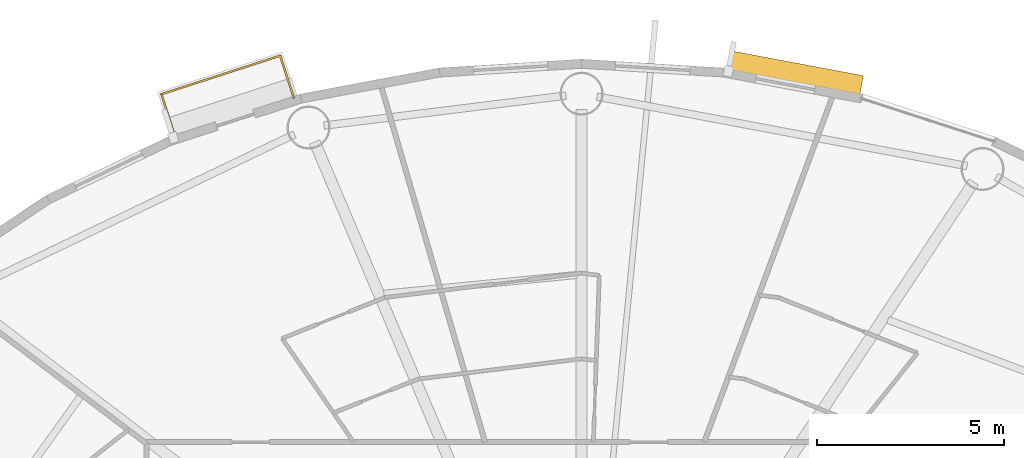
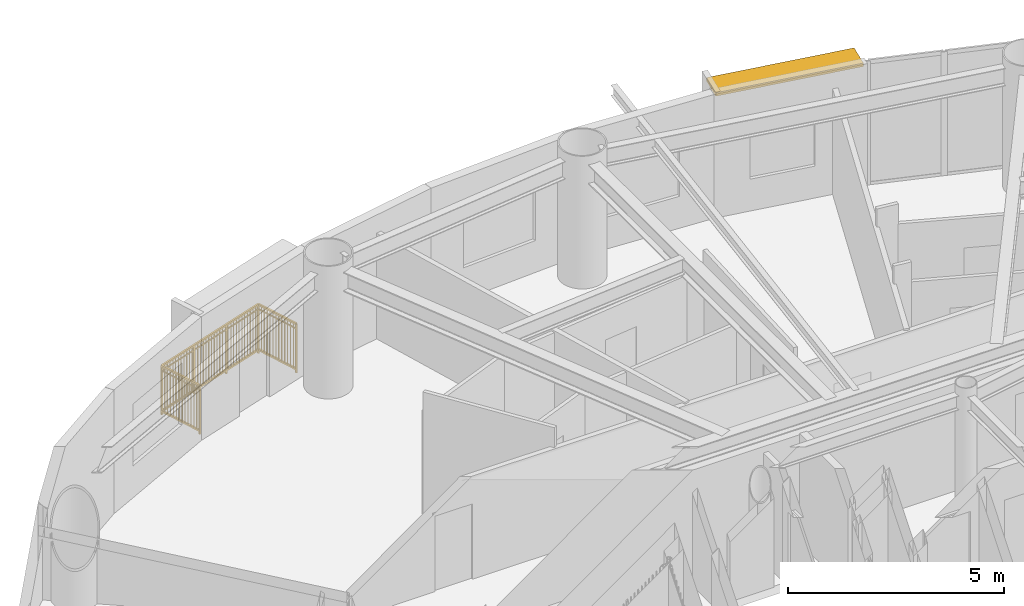
# One storey, part 19 of 19: 1 railing, 1 shading device.
"""IFC4 building model written with IfcOpenShell, lengths in metres."""

from ifc_helpers import new_model, si_unit, direction, frame, origin, origin_2d, place, context, subcontext, project, spatial, rectangle, extrude, source, transform, mapped, material, layer, layer_set, type_object, element, save


model = new_model("IFC4")

# Units and contexts
model_context = context("Model", 3, precision=1e-05, world=origin(), true_north=direction((0.0, 1.0)))
body_context = subcontext(model_context, "Body", "Model", "MODEL_VIEW")
ifc_project = project(units=[si_unit("LENGTHUNIT", "METRE"), si_unit("AREAUNIT", "SQUARE_METRE"), si_unit("VOLUMEUNIT", "CUBIC_METRE"), si_unit("PLANEANGLEUNIT", "RADIAN"), si_unit("MASSUNIT", "GRAM", prefix="KILO")], contexts=[model_context])

# Site, building, storey
site_placement = place(None, origin())
site = spatial("IfcSite", under=ifc_project, at=site_placement, CompositionType="ELEMENT")
building_placement = place(site_placement, origin())
building = spatial("IfcBuilding", under=site, at=building_placement, Name="Linh Dai School and Residence Tower", CompositionType="ELEMENT")
storey_placement = place(building_placement, frame((0.0, 0.0, 217.800048828125)))
storey = spatial("IfcBuildingStorey", under=building, at=storey_placement, Name="L53", CompositionType="ELEMENT", Elevation=217.800048828125)

# Shading device
ifc_material_1 = material(Name="Terracotta Ceramic Sunshade", Category="masonry")
ifc_layer = layer(ifc_material_1, 0.10009765625)
ifc_layer_set = layer_set([ifc_layer], Name="Terracotta Ceramic Sunshade")
shading_device_type = type_object("IfcShadingDeviceType", Name="SHD-TC-650", PredefinedType="USERDEFINED", material=ifc_layer_set)
shared_shape_1 = source(origin(), body_context, "Body", "SweptSolid", [
    extrude(rectangle(XDim=3.62158203125, YDim=0.64990234375, at=origin_2d()), origin(), (0.0, 0.0, 1.0), 0.10009765625),
])
shading_device_placement = place(storey_placement, frame((41.7080078125, 45.67724609375, 3.3798828125), z_axis=(0.0, 0.0, 1.0), x_axis=(0.982786586765, -0.18474448537, 0.0)))
element("IfcShadingDevice", 1, at=shading_device_placement, inside=storey, type_object=shading_device_type, Name="L53 Terracotta Horizontal Sunshade Band 09", ObjectType="SUNSHADE", PredefinedType="USERDEFINED", context=body_context, shape_type="MappedRepresentation", body=[
    mapped(shared_shape_1, transform((0.0, 0.0, 0.0), x_axis=(1.0, 0.0, 0.0), y_axis=(0.0, 1.0, 0.0), z_axis=(0.0, 0.0, 1.0), scale=1.0)),
])

# Railing
ifc_material_2 = material(Name="Structural Steel S355JR", Category="steel")
railing_type = type_object("IfcRailingType", Name="RL-BAL-1400", PredefinedType="BALUSTRADE", material=ifc_material_2)
shared_shape_2 = source(origin(), body_context, "Body", "SweptSolid", [
    extrude(rectangle(XDim=0.048095703125, YDim=0.048095703125, at=origin_2d()), frame((0.0, 0.0, 1.3759765625), z_axis=(-0.308459164781, 0.951237585287, 0.0), x_axis=(-0.951237585287, -0.308459164781, 0.0)), (0.0, 0.0, 1.0), 1.18017578125),
    extrude(rectangle(XDim=0.048095703125, YDim=0.048095703125, at=origin_2d()), frame((0.0, 0.0, 0.10009765625), z_axis=(-0.308459164781, 0.951237585287, 0.0), x_axis=(-0.951237585287, -0.308459164781, 0.0)), (0.0, 0.0, 1.0), 1.18017578125),
    extrude(rectangle(XDim=0.030029296875, YDim=0.030029296875, at=origin_2d()), frame((0.0, 0.0, 1.239990234375), z_axis=(-0.308459164781, 0.951237585287, 0.0), x_axis=(-0.951237585287, -0.308459164781, 0.0)), (0.0, 0.0, 1.0), 1.18017578125),
    extrude(rectangle(XDim=0.02001953125, YDim=0.02001953125, at=origin_2d()), frame((-0.028076171875, 0.08642578125, 0.10009765625)), (0.0, 0.0, 1.0), 1.251708984375),
    extrude(rectangle(XDim=0.02001953125, YDim=0.02001953125, at=origin_2d()), frame((-0.055908203125, 0.172607421875, 0.10009765625)), (0.0, 0.0, 1.0), 1.251708984375),
    extrude(rectangle(XDim=0.02001953125, YDim=0.02001953125, at=origin_2d()), frame((-0.083984375, 0.259033203125, 0.10009765625)), (0.0, 0.0, 1.0), 1.251708984375),
    extrude(rectangle(XDim=0.02001953125, YDim=0.02001953125, at=origin_2d()), frame((-0.112060546875, 0.345458984375, 0.10009765625)), (0.0, 0.0, 1.0), 1.251708984375),
    extrude(rectangle(XDim=0.02001953125, YDim=0.02001953125, at=origin_2d()), frame((-0.139892578125, 0.431640625, 0.10009765625)), (0.0, 0.0, 1.0), 1.251708984375),
    extrude(rectangle(XDim=0.02001953125, YDim=0.02001953125, at=origin_2d()), frame((-0.16796875, 0.51806640625, 0.10009765625)), (0.0, 0.0, 1.0), 1.251708984375),
    extrude(rectangle(XDim=0.02001953125, YDim=0.02001953125, at=origin_2d()), frame((-0.196044921875, 0.6044921875, 0.10009765625)), (0.0, 0.0, 1.0), 1.251708984375),
    extrude(rectangle(XDim=0.02001953125, YDim=0.02001953125, at=origin_2d()), frame((-0.22412109375, 0.69091796875, 0.10009765625)), (0.0, 0.0, 1.0), 1.251708984375),
    extrude(rectangle(XDim=0.02001953125, YDim=0.02001953125, at=origin_2d()), frame((-0.251953125, 0.777099609375, 0.10009765625)), (0.0, 0.0, 1.0), 1.251708984375),
    extrude(rectangle(XDim=0.02001953125, YDim=0.02001953125, at=origin_2d()), frame((-0.280029296875, 0.863525390625, 0.10009765625)), (0.0, 0.0, 1.0), 1.251708984375),
    extrude(rectangle(XDim=0.02001953125, YDim=0.02001953125, at=origin_2d()), frame((-0.30810546875, 0.949951171875, 0.10009765625)), (0.0, 0.0, 1.0), 1.251708984375),
    extrude(rectangle(XDim=0.02001953125, YDim=0.02001953125, at=origin_2d()), frame((-0.3359375, 1.0361328125, 0.10009765625)), (0.0, 0.0, 1.0), 1.251708984375),
    extrude(rectangle(XDim=0.048095703125, YDim=0.048095703125, at=origin_2d()), frame((-0.364013671875, 1.12255859375, 1.3759765625), z_axis=(0.951237300955, 0.308460041613, 0.0), x_axis=(-0.308460041613, 0.951237300955, 0.0)), (0.0, 0.0, 1.0), 3.342529296875),
    extrude(rectangle(XDim=0.048095703125, YDim=0.048095703125, at=origin_2d()), frame((-0.364013671875, 1.12255859375, 0.10009765625), z_axis=(0.951237300955, 0.308460041613, 0.0), x_axis=(-0.308460041613, 0.951237300955, 0.0)), (0.0, 0.0, 1.0), 3.342529296875),
    extrude(rectangle(XDim=0.030029296875, YDim=0.030029296875, at=origin_2d()), frame((-0.364013671875, 1.12255859375, 1.239990234375), z_axis=(0.951237300955, 0.308460041613, 0.0), x_axis=(-0.308460041613, 0.951237300955, 0.0)), (0.0, 0.0, 1.0), 3.342529296875),
    extrude(rectangle(XDim=0.02001953125, YDim=0.02001953125, at=origin_2d()), frame((-0.273193359375, 1.152099609375, 0.10009765625)), (0.0, 0.0, 1.0), 1.251708984375),
    extrude(rectangle(XDim=0.02001953125, YDim=0.02001953125, at=origin_2d()), frame((-0.182373046875, 1.181396484375, 0.10009765625)), (0.0, 0.0, 1.0), 1.251708984375),
    extrude(rectangle(XDim=0.02001953125, YDim=0.02001953125, at=origin_2d()), frame((-0.091552734375, 1.2109375, 0.10009765625)), (0.0, 0.0, 1.0), 1.251708984375),
    extrude(rectangle(XDim=0.02001953125, YDim=0.02001953125, at=origin_2d()), frame((-0.000732421875, 1.240478515625, 0.10009765625)), (0.0, 0.0, 1.0), 1.251708984375),
    extrude(rectangle(XDim=0.02001953125, YDim=0.02001953125, at=origin_2d()), frame((0.090087890625, 1.269775390625, 0.10009765625)), (0.0, 0.0, 1.0), 1.251708984375),
    extrude(rectangle(XDim=0.02001953125, YDim=0.02001953125, at=origin_2d()), frame((0.18115234375, 1.29931640625, 0.10009765625)), (0.0, 0.0, 1.0), 1.251708984375),
    extrude(rectangle(XDim=0.02001953125, YDim=0.02001953125, at=origin_2d()), frame((0.27197265625, 1.328857421875, 0.10009765625)), (0.0, 0.0, 1.0), 1.251708984375),
    extrude(rectangle(XDim=0.02001953125, YDim=0.02001953125, at=origin_2d()), frame((0.36279296875, 1.358154296875, 0.10009765625)), (0.0, 0.0, 1.0), 1.251708984375),
    extrude(rectangle(XDim=0.02001953125, YDim=0.02001953125, at=origin_2d()), frame((0.45361328125, 1.3876953125, 0.10009765625)), (0.0, 0.0, 1.0), 1.251708984375),
    extrude(rectangle(XDim=0.02001953125, YDim=0.02001953125, at=origin_2d()), frame((0.54443359375, 1.417236328125, 0.10009765625)), (0.0, 0.0, 1.0), 1.251708984375),
    extrude(rectangle(XDim=0.02001953125, YDim=0.02001953125, at=origin_2d()), frame((0.63525390625, 1.446533203125, 0.10009765625)), (0.0, 0.0, 1.0), 1.251708984375),
    extrude(rectangle(XDim=0.02001953125, YDim=0.02001953125, at=origin_2d()), frame((0.81689453125, 1.505615234375, 0.10009765625)), (0.0, 0.0, 1.0), 1.251708984375),
    extrude(rectangle(XDim=0.02001953125, YDim=0.02001953125, at=origin_2d()), frame((0.90771484375, 1.534912109375, 0.10009765625)), (0.0, 0.0, 1.0), 1.251708984375),
    extrude(rectangle(XDim=0.02001953125, YDim=0.02001953125, at=origin_2d()), frame((0.99853515625, 1.564453125, 0.10009765625)), (0.0, 0.0, 1.0), 1.251708984375),
    extrude(rectangle(XDim=0.02001953125, YDim=0.02001953125, at=origin_2d()), frame((1.08935546875, 1.593994140625, 0.10009765625)), (0.0, 0.0, 1.0), 1.251708984375),
    extrude(rectangle(XDim=0.02001953125, YDim=0.02001953125, at=origin_2d()), frame((1.18017578125, 1.623291015625, 0.10009765625)), (0.0, 0.0, 1.0), 1.251708984375),
    extrude(rectangle(XDim=0.02001953125, YDim=0.02001953125, at=origin_2d()), frame((1.271240234375, 1.65283203125, 0.10009765625)), (0.0, 0.0, 1.0), 1.251708984375),
    extrude(rectangle(XDim=0.02001953125, YDim=0.02001953125, at=origin_2d()), frame((1.362060546875, 1.68212890625, 0.10009765625)), (0.0, 0.0, 1.0), 1.251708984375),
    extrude(rectangle(XDim=0.02001953125, YDim=0.02001953125, at=origin_2d()), frame((1.452880859375, 1.711669921875, 0.10009765625)), (0.0, 0.0, 1.0), 1.251708984375),
    extrude(rectangle(XDim=0.02001953125, YDim=0.02001953125, at=origin_2d()), frame((1.543701171875, 1.7412109375, 0.10009765625)), (0.0, 0.0, 1.0), 1.251708984375),
    extrude(rectangle(XDim=0.02001953125, YDim=0.02001953125, at=origin_2d()), frame((1.634521484375, 1.7705078125, 0.10009765625)), (0.0, 0.0, 1.0), 1.251708984375),
    extrude(rectangle(XDim=0.02001953125, YDim=0.02001953125, at=origin_2d()), frame((1.816162109375, 1.82958984375, 0.10009765625)), (0.0, 0.0, 1.0), 1.251708984375),
    extrude(rectangle(XDim=0.02001953125, YDim=0.02001953125, at=origin_2d()), frame((1.906982421875, 1.85888671875, 0.10009765625)), (0.0, 0.0, 1.0), 1.251708984375),
    extrude(rectangle(XDim=0.02001953125, YDim=0.02001953125, at=origin_2d()), frame((1.997802734375, 1.888427734375, 0.10009765625)), (0.0, 0.0, 1.0), 1.251708984375),
    extrude(rectangle(XDim=0.02001953125, YDim=0.02001953125, at=origin_2d()), frame((2.088623046875, 1.91796875, 0.10009765625)), (0.0, 0.0, 1.0), 1.251708984375),
    extrude(rectangle(XDim=0.02001953125, YDim=0.02001953125, at=origin_2d()), frame((2.179443359375, 1.947265625, 0.10009765625)), (0.0, 0.0, 1.0), 1.251708984375),
    extrude(rectangle(XDim=0.02001953125, YDim=0.02001953125, at=origin_2d()), frame((2.270263671875, 1.976806640625, 0.10009765625)), (0.0, 0.0, 1.0), 1.251708984375),
    extrude(rectangle(XDim=0.02001953125, YDim=0.02001953125, at=origin_2d()), frame((2.361328125, 2.00634765625, 0.10009765625)), (0.0, 0.0, 1.0), 1.251708984375),
    extrude(rectangle(XDim=0.02001953125, YDim=0.02001953125, at=origin_2d()), frame((2.4521484375, 2.03564453125, 0.10009765625)), (0.0, 0.0, 1.0), 1.251708984375),
    extrude(rectangle(XDim=0.02001953125, YDim=0.02001953125, at=origin_2d()), frame((2.54296875, 2.065185546875, 0.10009765625)), (0.0, 0.0, 1.0), 1.251708984375),
    extrude(rectangle(XDim=0.02001953125, YDim=0.02001953125, at=origin_2d()), frame((2.6337890625, 2.0947265625, 0.10009765625)), (0.0, 0.0, 1.0), 1.251708984375),
    extrude(rectangle(XDim=0.02001953125, YDim=0.02001953125, at=origin_2d()), frame((2.724609375, 2.1240234375, 0.10009765625)), (0.0, 0.0, 1.0), 1.251708984375),
    extrude(rectangle(XDim=0.048095703125, YDim=0.048095703125, at=origin_2d()), frame((2.8154296875, 2.153564453125, 1.3759765625), z_axis=(0.30851987862, -0.951217895383, 0.0), x_axis=(0.951217895383, 0.30851987862, 0.0)), (0.0, 0.0, 1.0), 1.179931640625),
    extrude(rectangle(XDim=0.048095703125, YDim=0.048095703125, at=origin_2d()), frame((2.8154296875, 2.153564453125, 0.10009765625), z_axis=(0.30851987862, -0.951217895383, 0.0), x_axis=(0.951217895383, 0.30851987862, 0.0)), (0.0, 0.0, 1.0), 1.179931640625),
    extrude(rectangle(XDim=0.030029296875, YDim=0.030029296875, at=origin_2d()), frame((2.8154296875, 2.153564453125, 1.239990234375), z_axis=(0.30851987862, -0.951217895383, 0.0), x_axis=(0.951217895383, 0.30851987862, 0.0)), (0.0, 0.0, 1.0), 1.179931640625),
    extrude(rectangle(XDim=0.02001953125, YDim=0.02001953125, at=origin_2d()), frame((2.843505859375, 2.067138671875, 0.10009765625)), (0.0, 0.0, 1.0), 1.251708984375),
    extrude(rectangle(XDim=0.02001953125, YDim=0.02001953125, at=origin_2d()), frame((2.871337890625, 1.98095703125, 0.10009765625)), (0.0, 0.0, 1.0), 1.251708984375),
    extrude(rectangle(XDim=0.02001953125, YDim=0.02001953125, at=origin_2d()), frame((2.8994140625, 1.89453125, 0.10009765625)), (0.0, 0.0, 1.0), 1.251708984375),
    extrude(rectangle(XDim=0.02001953125, YDim=0.02001953125, at=origin_2d()), frame((2.927490234375, 1.808349609375, 0.10009765625)), (0.0, 0.0, 1.0), 1.251708984375),
    extrude(rectangle(XDim=0.02001953125, YDim=0.02001953125, at=origin_2d()), frame((2.955322265625, 1.721923828125, 0.10009765625)), (0.0, 0.0, 1.0), 1.251708984375),
    extrude(rectangle(XDim=0.02001953125, YDim=0.02001953125, at=origin_2d()), frame((2.9833984375, 1.635498046875, 0.10009765625)), (0.0, 0.0, 1.0), 1.251708984375),
    extrude(rectangle(XDim=0.02001953125, YDim=0.02001953125, at=origin_2d()), frame((3.011474609375, 1.54931640625, 0.10009765625)), (0.0, 0.0, 1.0), 1.251708984375),
    extrude(rectangle(XDim=0.02001953125, YDim=0.02001953125, at=origin_2d()), frame((3.03955078125, 1.462890625, 0.10009765625)), (0.0, 0.0, 1.0), 1.251708984375),
    extrude(rectangle(XDim=0.02001953125, YDim=0.02001953125, at=origin_2d()), frame((3.0673828125, 1.37646484375, 0.10009765625)), (0.0, 0.0, 1.0), 1.251708984375),
    extrude(rectangle(XDim=0.02001953125, YDim=0.02001953125, at=origin_2d()), frame((3.095458984375, 1.290283203125, 0.10009765625)), (0.0, 0.0, 1.0), 1.251708984375),
    extrude(rectangle(XDim=0.02001953125, YDim=0.02001953125, at=origin_2d()), frame((3.12353515625, 1.203857421875, 0.10009765625)), (0.0, 0.0, 1.0), 1.251708984375),
    extrude(rectangle(XDim=0.02001953125, YDim=0.02001953125, at=origin_2d()), frame((3.1513671875, 1.11767578125, 0.10009765625)), (0.0, 0.0, 1.0), 1.251708984375),
    extrude(rectangle(XDim=0.0419921875, YDim=0.0419921875, at=origin_2d()), origin(), (0.0, 0.0, 1.0), 1.3759765625),
    extrude(rectangle(XDim=0.0419921875, YDim=0.0419921875, at=origin_2d()), frame((-0.364013671875, 1.12255859375, 0.0)), (0.0, 0.0, 1.0), 1.3759765625),
    extrude(rectangle(XDim=0.0419921875, YDim=0.0419921875, at=origin_2d()), frame((0.69580078125, 1.46630859375, 0.0)), (0.0, 0.0, 1.0), 1.3759765625),
    extrude(rectangle(XDim=0.0419921875, YDim=0.0419921875, at=origin_2d()), frame((1.755615234375, 1.809814453125, 0.0)), (0.0, 0.0, 1.0), 1.3759765625),
    extrude(rectangle(XDim=0.0419921875, YDim=0.0419921875, at=origin_2d()), frame((2.8154296875, 2.153564453125, 0.0)), (0.0, 0.0, 1.0), 1.3759765625),
    extrude(rectangle(XDim=0.0419921875, YDim=0.0419921875, at=origin_2d()), frame((3.179443359375, 1.03125, 0.0)), (0.0, 0.0, 1.0), 1.3759765625),
])
railing_placement = place(storey_placement, frame((25.114013671875, 44.04296875, 0.0)))
element("IfcRailing", 2, at=railing_placement, inside=storey, type_object=railing_type, Name="L53 Balcony Safety Balustrade 13", PredefinedType="BALUSTRADE", context=body_context, shape_type="MappedRepresentation", body=[
    mapped(shared_shape_2, transform((0.0, 0.0, 0.0), x_axis=(1.0, 0.0, 0.0), y_axis=(0.0, 1.0, 0.0), z_axis=(0.0, 0.0, 1.0), scale=1.0)),
])

save(model, "model.ifc")
